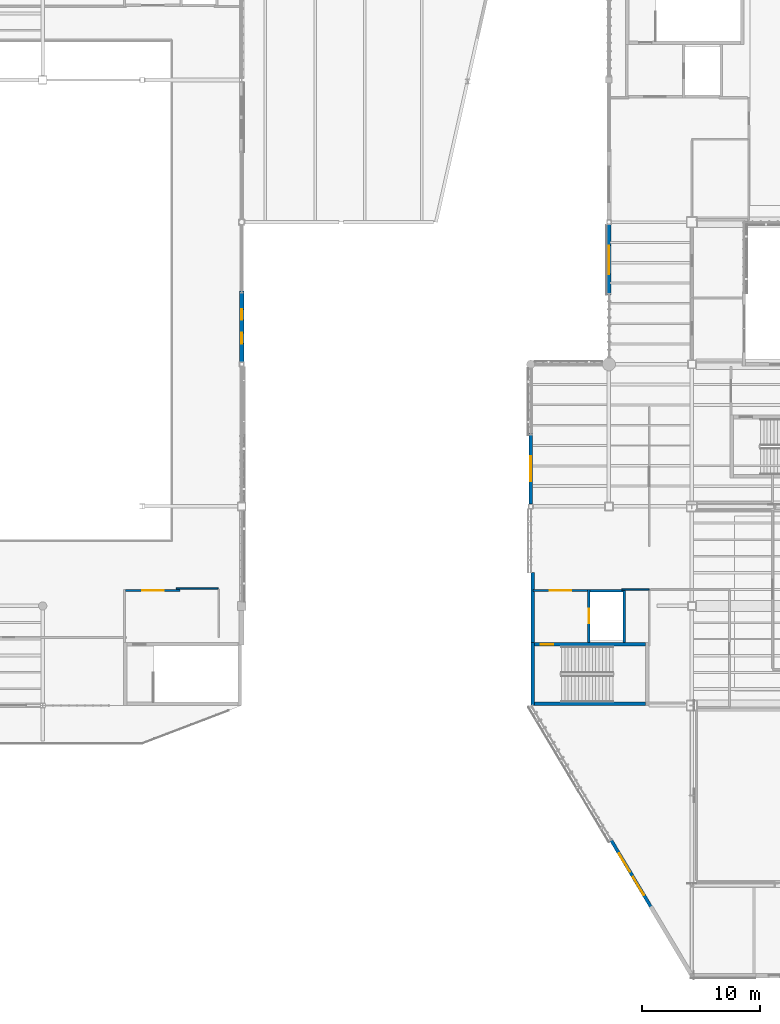
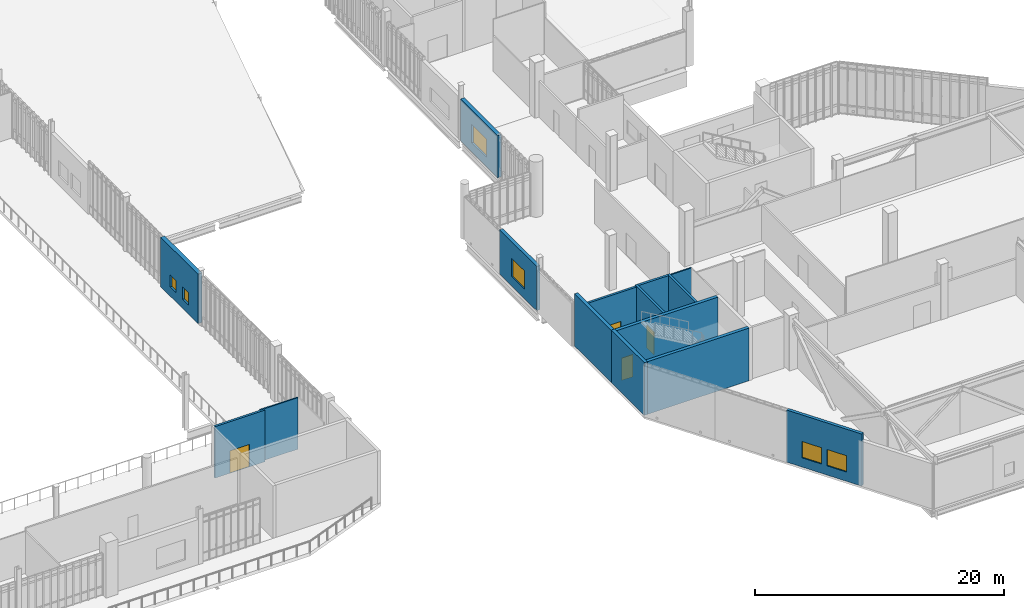
# One storey, part 114 of 135: 15 walls, 6 windows, 4 doors, 10 openings.
"""IFC4 building model written with IfcOpenShell, lengths in metres."""

from ifc_helpers import new_model, si_unit, direction, frame, frame_2d, origin, place, context, subcontext, project, spatial, rectangle, extrude, material, layer, layer_set, type_object, element, fill, save


model = new_model("IFC4")

# Units and contexts
model_context = context("Model", 3, precision=1e-05, world=origin(), true_north=direction((0.0, 1.0)))
body_context = subcontext(model_context, "Body", "Model", "MODEL_VIEW")
ifc_project = project(units=[si_unit("LENGTHUNIT", "METRE"), si_unit("AREAUNIT", "SQUARE_METRE"), si_unit("VOLUMEUNIT", "CUBIC_METRE"), si_unit("PLANEANGLEUNIT", "RADIAN"), si_unit("MASSUNIT", "GRAM", prefix="KILO")], contexts=[model_context])

# Site, building, storey
site_placement = place(None, origin())
site = spatial("IfcSite", under=ifc_project, at=site_placement, CompositionType="ELEMENT")
building_placement = place(site_placement, origin())
building = spatial("IfcBuilding", under=site, at=building_placement, Name="Larkvane Passage Sports Hall", CompositionType="ELEMENT")
storey_placement = place(building_placement, frame((0.0, 0.0, 16.800048828125)))
storey = spatial("IfcBuildingStorey", under=building, at=storey_placement, Name="L03", CompositionType="ELEMENT", Elevation=16.800048828125)

# Wall
ifc_material_1 = material(Name="Concrete C50/60", Category="concrete")
ifc_layer_1 = layer(ifc_material_1, 0.340087890625)
ifc_layer_set_1 = layer_set([ifc_layer_1], Name="Concrete C50/60")
wall_type_1 = type_object("IfcWallType", Name="WL-CORE-340", PredefinedType="SHEAR", material=ifc_layer_set_1)
wall_1_placement = place(storey_placement, frame((118.14990234375, 22.800048828125, 0.0), z_axis=(0.0, 0.0, 1.0), x_axis=(0.0, 1.0, 0.0)))
element("IfcWall", 1, at=wall_1_placement, inside=storey, type_object=wall_type_1, Name="Core shear wall WAL-CORE-C5-L03-W", PredefinedType="SHEAR", context=body_context, shape_type="SweptSolid", body=[
    extrude(rectangle(XDim=5.300048828125, YDim=0.300048828125, at=frame_2d((2.64990234375, 0.0))), origin(), (0.0, 0.0, 1.0), 5.14990234375),
])

# Wall, opening, door
wall_2_placement = place(storey_placement, frame((118.300048828125, 27.949951171875, 0.0), z_axis=(0.0, 0.0, 1.0), x_axis=(1.0, 0.0, 0.0)))
wall_2 = element("IfcWall", 2, at=wall_2_placement, inside=storey, type_object=wall_type_1, Name="Core shear wall WAL-CORE-C5-L03-N", PredefinedType="SHEAR", context=body_context, shape_type="SweptSolid", body=[
    extrude(rectangle(XDim=9.39990234375, YDim=0.300048828125, at=frame_2d((4.699951171875, 0.0))), origin(), (0.0, 0.0, 1.0), 5.14990234375),
])
opening_1_placement = place(wall_2_placement, frame((0.550048828125, 0.0, 0.0)))
opening_1 = element("IfcOpeningElement", 3, at=opening_1_placement, cuts=wall_2, Name="Opening DF-01", PredefinedType="OPENING", context=body_context, shape_type="SweptSolid", body=[
    extrude(rectangle(XDim=1.050048828125, YDim=2.199951171875, at=frame_2d((0.52490234375, 1.10009765625))), frame((0.0, 0.159912109375, 0.0), z_axis=(0.0, -1.0, 0.0), x_axis=(1.0, 0.0, 0.0)), (0.0, 0.0, 1.0), 0.320068359375),
])
ifc_material_2 = material(Name="Steel S355JR smoke-sealed fire door", Category="steel")
door_type_1 = type_object("IfcDoorType", Name="DR-FIRE-1050", OperationType="NOTDEFINED", PredefinedType="DOOR", material=ifc_material_2)
door_1_placement = place(opening_1_placement, origin())
door_1 = element("IfcDoor", 4, at=door_1_placement, inside=storey, type_object=door_type_1, Name="Stair ST-05 L03 fire door", OperationType="SINGLE_SWING_LEFT", OverallHeight=2.199951171875, OverallWidth=1.050048828125, PredefinedType="DOOR", context=body_context, shape_type="SweptSolid", body=[
    extrude(rectangle(XDim=1.050048828125, YDim=2.199951171875, at=frame_2d((0.52490234375, 1.10009765625))), frame((0.0, 0.02490234375, 0.0), z_axis=(0.0, -1.0, 0.0), x_axis=(1.0, 0.0, 0.0)), (0.0, 0.0, 1.0), 0.050048828125),
])
fill(opening_1, door_1)

# Wall
ifc_layer_2 = layer(ifc_material_1, 0.340087890625)
ifc_layer_set_2 = layer_set([ifc_layer_2], Name="Concrete C50/60")
wall_type_2 = type_object("IfcWallType", Name="WL-CORE-EXT-340", PredefinedType="SHEAR", material=ifc_layer_set_2)
wall_3_placement = place(storey_placement, frame((127.699951171875, 22.949951171875, 0.0), z_axis=(0.0, 0.0, 1.0), x_axis=(-1.0, 0.0, 0.0)))
element("IfcWall", 5, at=wall_3_placement, inside=storey, type_object=wall_type_2, Name="Core shear wall WAL-CORE-C5-L03-S", PredefinedType="SHEAR", context=body_context, shape_type="SweptSolid", body=[
    extrude(rectangle(XDim=9.39990234375, YDim=0.300048828125, at=frame_2d((4.699951171875, 0.0))), origin(), (0.0, 0.0, 1.0), 5.14990234375),
])

# Wall, openings, windows
ifc_material_3 = material(Name="Concrete C40/50", Category="concrete")
ifc_layer_3 = layer(ifc_material_3, 0.27490234375)
ifc_layer_set_3 = layer_set([ifc_layer_3], Name="Concrete C40/50")
wall_type_3 = type_object("IfcWallType", Name="WL-EXT-275", PredefinedType="SOLIDWALL", material=ifc_layer_set_3)
wall_4_placement = place(storey_placement, frame((128.267578125, 5.586669921875, 0.0), z_axis=(0.0, 0.0, 1.0), x_axis=(-0.512267314441, 0.858826058382, 0.0)))
wall_4 = element("IfcWall", 6, at=wall_4_placement, inside=storey, type_object=wall_type_3, Name="Exterior wall WAL-EXT-L03-178", PredefinedType="SOLIDWALL", context=body_context, shape_type="SweptSolid", body=[
    extrude(rectangle(XDim=6.90087890625, YDim=0.27490234375, at=frame_2d((3.450439453125, 0.0))), origin(), (0.0, 0.0, 1.0), 5.099853515625),
])
opening_2_placement = place(wall_4_placement, frame((1.39990234375, 0.0, 0.89990234375)))
opening_2 = element("IfcOpeningElement", 7, at=opening_2_placement, cuts=wall_4, Name="Opening W-02", PredefinedType="OPENING", context=body_context, shape_type="SweptSolid", body=[
    extrude(rectangle(XDim=1.800048828125, YDim=1.60009765625, at=frame_2d((0.89990234375, 0.800048828125))), frame((0.0, 0.1474609375, 0.0), z_axis=(0.0, -1.0, 0.0), x_axis=(1.0, 0.0, 0.0)), (0.0, 0.0, 1.0), 0.294921875),
])
opening_3_placement = place(wall_4_placement, frame((3.700927734375, 0.0, 0.89990234375)))
opening_3 = element("IfcOpeningElement", 8, at=opening_3_placement, cuts=wall_4, Name="Opening W-02", PredefinedType="OPENING", context=body_context, shape_type="SweptSolid", body=[
    extrude(rectangle(XDim=1.800048828125, YDim=1.60009765625, at=frame_2d((0.89990234375, 0.800048828125))), frame((0.0, 0.1474609375, 0.0), z_axis=(0.0, -1.0, 0.0), x_axis=(1.0, 0.0, 0.0)), (0.0, 0.0, 1.0), 0.294921875),
])
ifc_material_4 = material(Name="Thermally broken aluminium and laminated low-E glass", Category="aluminium")
window_type_1 = type_object("IfcWindowType", Name="WN-FIX-1800x1600", PartitioningType="SINGLE_PANEL", PredefinedType="WINDOW", material=ifc_material_4)
window_1_placement = place(opening_2_placement, origin())
window_1 = element("IfcWindow", 9, at=window_1_placement, inside=storey, type_object=window_type_1, Name="Window L03-073", OverallHeight=1.60009765625, OverallWidth=1.800048828125, PartitioningType="SINGLE_PANEL", PredefinedType="WINDOW", context=body_context, shape_type="SweptSolid", body=[
    extrude(rectangle(XDim=1.800048828125, YDim=1.60009765625, at=frame_2d((0.89990234375, 0.800048828125))), frame((0.0, 0.030029296875, 0.0), z_axis=(0.0, -1.0, 0.0), x_axis=(1.0, 0.0, 0.0)), (0.0, 0.0, 1.0), 0.06005859375),
])
fill(opening_2, window_1)
window_2_placement = place(opening_3_placement, origin())
window_2 = element("IfcWindow", 10, at=window_2_placement, inside=storey, type_object=window_type_1, Name="Window L03-074", OverallHeight=1.60009765625, OverallWidth=1.800048828125, PartitioningType="SINGLE_PANEL", PredefinedType="WINDOW", context=body_context, shape_type="SweptSolid", body=[
    extrude(rectangle(XDim=1.800048828125, YDim=1.60009765625, at=frame_2d((0.89990234375, 0.800048828125))), frame((0.0, 0.030029296875, 0.0), z_axis=(0.0, -1.0, 0.0), x_axis=(1.0, 0.0, 0.0)), (0.0, 0.0, 1.0), 0.06005859375),
])
fill(opening_3, window_2)

# Wall, opening, window
ifc_material_5 = material(Name="Precast concrete C45/55", Category="concrete")
ifc_layer_4 = layer(ifc_material_5, 0.31005859375)
ifc_layer_set_4 = layer_set([ifc_layer_4], Name="Precast concrete C45/55")
wall_type_4 = type_object("IfcWallType", Name="WL-EXT-310", PredefinedType="SOLIDWALL", material=ifc_layer_set_4)
wall_5_placement = place(storey_placement, frame((118.0, 39.7958984375, 0.0), z_axis=(0.0, 0.0, 1.0), x_axis=(0.0, 1.0, 0.0)))
wall_5 = element("IfcWall", 11, at=wall_5_placement, inside=storey, type_object=wall_type_4, Name="Exterior wall WAL-EXT-L03-179", PredefinedType="SOLIDWALL", context=body_context, shape_type="SweptSolid", body=[
    extrude(rectangle(XDim=5.952880859375, YDim=0.31005859375, at=frame_2d((2.9765625, 0.0))), origin(), (0.0, 0.0, 1.0), 4.31591796875),
])
opening_4_placement = place(wall_5_placement, frame((1.926025390625, 0.0, 0.89990234375)))
opening_4 = element("IfcOpeningElement", 12, at=opening_4_placement, cuts=wall_5, Name="Opening W-03", PredefinedType="OPENING", context=body_context, shape_type="SweptSolid", body=[
    extrude(rectangle(XDim=2.10009765625, YDim=1.800048828125, at=frame_2d((1.050048828125, 0.89990234375))), frame((0.0, 0.1650390625, 0.0), z_axis=(0.0, -1.0, 0.0), x_axis=(1.0, 0.0, 0.0)), (0.0, 0.0, 1.0), 0.330078125),
])
window_type_2 = type_object("IfcWindowType", Name="WN-FIX-2100x1800", PartitioningType="DOUBLE_PANEL_VERTICAL", PredefinedType="WINDOW", material=ifc_material_4)
window_3_placement = place(opening_4_placement, origin())
window_3 = element("IfcWindow", 13, at=window_3_placement, inside=storey, type_object=window_type_2, Name="Window L03-075", OverallHeight=1.800048828125, OverallWidth=2.10009765625, PartitioningType="DOUBLE_PANEL_VERTICAL", PredefinedType="WINDOW", context=body_context, shape_type="SweptSolid", body=[
    extrude(rectangle(XDim=2.10009765625, YDim=1.800048828125, at=frame_2d((1.050048828125, 0.89990234375))), frame((0.0, 0.030029296875, 0.0), z_axis=(0.0, -1.0, 0.0), x_axis=(1.0, 0.0, 0.0)), (0.0, 0.0, 1.0), 0.06005859375),
])
fill(opening_4, window_3)

# Wall
wall_6_placement = place(storey_placement, frame((118.155029296875, 28.10009765625, 0.0), z_axis=(0.0, 0.0, 1.0), x_axis=(0.0, 1.0, 0.0)))
element("IfcWall", 14, at=wall_6_placement, inside=storey, type_object=wall_type_4, Name="Exterior wall WAL-EXT-C5-LOB-L03", PredefinedType="SOLIDWALL", context=body_context, shape_type="SweptSolid", body=[
    extrude(rectangle(XDim=5.919921875, YDim=0.31005859375, at=frame_2d((2.9599609375, 0.0))), origin(), (0.0, 0.0, 1.0), 5.099853515625),
])

# Wall, opening, window
ifc_layer_5 = layer(ifc_material_5, 0.344970703125)
ifc_layer_set_5 = layer_set([ifc_layer_5], Name="Precast concrete C45/55")
wall_type_5 = type_object("IfcWallType", Name="WL-EXT-345", PredefinedType="SOLIDWALL", material=ifc_layer_set_5)
wall_7_placement = place(storey_placement, frame((124.60009765625, 57.434326171875, 0.0), z_axis=(0.0, 0.0, 1.0), x_axis=(0.0, 1.0, 0.0)))
wall_7 = element("IfcWall", 15, at=wall_7_placement, inside=storey, type_object=wall_type_5, Name="Exterior wall WAL-EXT-L03-180", PredefinedType="SOLIDWALL", context=body_context, shape_type="SweptSolid", body=[
    extrude(rectangle(XDim=5.966552734375, YDim=0.344970703125, at=frame_2d((2.9833984375, 0.0))), origin(), (0.0, 0.0, 1.0), 4.10791015625),
])
opening_5_placement = place(wall_7_placement, frame((1.782958984375, 0.0, 0.89990234375)))
opening_5 = element("IfcOpeningElement", 16, at=opening_5_placement, cuts=wall_7, Name="Opening W-04", PredefinedType="OPENING", context=body_context, shape_type="SweptSolid", body=[
    extrude(rectangle(XDim=2.39990234375, YDim=1.800048828125, at=frame_2d((1.199951171875, 0.89990234375))), frame((0.0, 0.182373046875, 0.0), z_axis=(0.0, -1.0, 0.0), x_axis=(1.0, 0.0, 0.0)), (0.0, 0.0, 1.0), 0.364990234375),
])
window_type_3 = type_object("IfcWindowType", Name="WN-FIX-2400x1800", PartitioningType="DOUBLE_PANEL_VERTICAL", PredefinedType="WINDOW", material=ifc_material_4)
window_4_placement = place(opening_5_placement, origin())
window_4 = element("IfcWindow", 17, at=window_4_placement, inside=storey, type_object=window_type_3, Name="Window L03-076", OverallHeight=1.800048828125, OverallWidth=2.39990234375, PartitioningType="DOUBLE_PANEL_VERTICAL", PredefinedType="WINDOW", context=body_context, shape_type="SweptSolid", body=[
    extrude(rectangle(XDim=2.39990234375, YDim=1.800048828125, at=frame_2d((1.199951171875, 0.89990234375))), frame((0.0, 0.030029296875, 0.0), z_axis=(0.0, -1.0, 0.0), x_axis=(1.0, 0.0, 0.0)), (0.0, 0.0, 1.0), 0.06005859375),
])
fill(opening_5, window_4)

# Wall, openings, windows
ifc_layer_6 = layer(ifc_material_3, 0.385009765625)
ifc_layer_set_6 = layer_set([ifc_layer_6], Name="Concrete C40/50")
wall_type_6 = type_object("IfcWallType", Name="WL-EXT-385", PredefinedType="SOLIDWALL", material=ifc_layer_set_6)
wall_8_placement = place(storey_placement, frame((93.60009765625, 57.784912109375, 0.0), z_axis=(0.0, 0.0, 1.0), x_axis=(0.0, -1.0, 0.0)))
wall_8 = element("IfcWall", 18, at=wall_8_placement, inside=storey, type_object=wall_type_6, Name="Exterior wall WAL-EXT-L03-205", PredefinedType="SOLIDWALL", context=body_context, shape_type="SweptSolid", body=[
    extrude(rectangle(XDim=5.985595703125, YDim=0.385009765625, at=frame_2d((2.99267578125, 0.0))), origin(), (0.0, 0.0, 1.0), 4.843017578125),
])
opening_6_placement = place(wall_8_placement, frame((1.544921875, 0.0, 0.89990234375)))
opening_6 = element("IfcOpeningElement", 19, at=opening_6_placement, cuts=wall_8, Name="Opening W-09", PredefinedType="OPENING", context=body_context, shape_type="SweptSolid", body=[
    extrude(rectangle(XDim=0.89990234375, YDim=1.199951171875, at=frame_2d((0.449951171875, 0.60009765625))), frame((0.0, 0.202392578125, 0.0), z_axis=(0.0, -1.0, 0.0), x_axis=(1.0, 0.0, 0.0)), (0.0, 0.0, 1.0), 0.405029296875),
])
opening_7_placement = place(wall_8_placement, frame((3.5400390625, 0.0, 0.89990234375)))
opening_7 = element("IfcOpeningElement", 20, at=opening_7_placement, cuts=wall_8, Name="Opening W-09", PredefinedType="OPENING", context=body_context, shape_type="SweptSolid", body=[
    extrude(rectangle(XDim=0.89990234375, YDim=1.199951171875, at=frame_2d((0.449951171875, 0.60009765625))), frame((0.0, 0.202392578125, 0.0), z_axis=(0.0, -1.0, 0.0), x_axis=(1.0, 0.0, 0.0)), (0.0, 0.0, 1.0), 0.405029296875),
])
window_type_4 = type_object("IfcWindowType", Name="WN-CAS-900x1200", PartitioningType="SINGLE_PANEL", PredefinedType="WINDOW", material=ifc_material_4)
window_5_placement = place(opening_6_placement, origin())
window_5 = element("IfcWindow", 21, at=window_5_placement, inside=storey, type_object=window_type_4, Name="Window L03-093", OverallHeight=1.199951171875, OverallWidth=0.89990234375, PartitioningType="SINGLE_PANEL", PredefinedType="WINDOW", context=body_context, shape_type="SweptSolid", body=[
    extrude(rectangle(XDim=0.89990234375, YDim=1.199951171875, at=frame_2d((0.449951171875, 0.60009765625))), frame((0.0, 0.030029296875, 0.0), z_axis=(0.0, -1.0, 0.0), x_axis=(1.0, 0.0, 0.0)), (0.0, 0.0, 1.0), 0.06005859375),
])
fill(opening_6, window_5)
window_6_placement = place(opening_7_placement, origin())
window_6 = element("IfcWindow", 22, at=window_6_placement, inside=storey, type_object=window_type_4, Name="Window L03-094", OverallHeight=1.199951171875, OverallWidth=0.89990234375, PartitioningType="SINGLE_PANEL", PredefinedType="WINDOW", context=body_context, shape_type="SweptSolid", body=[
    extrude(rectangle(XDim=0.89990234375, YDim=1.199951171875, at=frame_2d((0.449951171875, 0.60009765625))), frame((0.0, 0.030029296875, 0.0), z_axis=(0.0, -1.0, 0.0), x_axis=(1.0, 0.0, 0.0)), (0.0, 0.0, 1.0), 0.06005859375),
])
fill(opening_7, window_6)

# Wall, opening, door
ifc_layer_7 = layer(ifc_material_3, 0.199951171875)
ifc_layer_set_7 = layer_set([ifc_layer_7], Name="Concrete C40/50")
wall_type_7 = type_object("IfcWallType", Name="WL-LOBBY-200", PredefinedType="SOLIDWALL", material=ifc_layer_set_7)
wall_9_placement = place(storey_placement, frame((83.800048828125, 32.5, 0.0), z_axis=(0.0, 0.0, 1.0), x_axis=(1.0, 0.0, 0.0)))
wall_9 = element("IfcWall", 23, at=wall_9_placement, inside=storey, type_object=wall_type_7, Name="Protected stair lobby wall C4 L03", PredefinedType="SOLIDWALL", context=body_context, shape_type="SweptSolid", body=[
    extrude(rectangle(XDim=4.599853515625, YDim=0.199951171875, at=frame_2d((2.2998046875, 0.0))), origin(), (0.0, 0.0, 1.0), 5.050048828125),
])
opening_8_placement = place(wall_9_placement, frame((1.39990234375, 0.0, 0.0)))
opening_8 = element("IfcOpeningElement", 24, at=opening_8_placement, cuts=wall_9, Name="Opening DF-02", PredefinedType="OPENING", context=body_context, shape_type="SweptSolid", body=[
    extrude(rectangle(XDim=1.800048828125, YDim=2.199951171875, at=frame_2d((0.89990234375, 1.10009765625))), frame((0.0, 0.10986328125, 0.0), z_axis=(0.0, -1.0, 0.0), x_axis=(1.0, 0.0, 0.0)), (0.0, 0.0, 1.0), 0.219970703125),
])
ifc_material_6 = material(Name="Steel S355JR double smoke-sealed fire door", Category="steel")
door_type_2 = type_object("IfcDoorType", Name="DR-FIRE-1800", OperationType="DOUBLE_DOOR_SINGLE_SWING", PredefinedType="DOOR", material=ifc_material_6)
door_2_placement = place(opening_8_placement, origin())
door_2 = element("IfcDoor", 25, at=door_2_placement, inside=storey, type_object=door_type_2, Name="Lobby smoke door C4 L03", OperationType="DOUBLE_DOOR_SINGLE_SWING", OverallHeight=2.199951171875, OverallWidth=1.800048828125, PredefinedType="DOOR", context=body_context, shape_type="SweptSolid", body=[
    extrude(rectangle(XDim=1.800048828125, YDim=2.199951171875, at=frame_2d((0.89990234375, 1.10009765625))), frame((0.0, 0.02490234375, 0.0), z_axis=(0.0, -1.0, 0.0), x_axis=(1.0, 0.0, 0.0)), (0.0, 0.0, 1.0), 0.050048828125),
])
fill(opening_8, door_2)

wall_10_placement = place(storey_placement, frame((118.199951171875, 32.5, 0.0), z_axis=(0.0, 0.0, 1.0), x_axis=(1.0, 0.0, 0.0)))
wall_10 = element("IfcWall", 26, at=wall_10_placement, inside=storey, type_object=wall_type_7, Name="Protected stair lobby wall C5 L03", PredefinedType="SOLIDWALL", context=body_context, shape_type="SweptSolid", body=[
    extrude(rectangle(XDim=4.60009765625, YDim=0.199951171875, at=frame_2d((2.300048828125, 0.0))), origin(), (0.0, 0.0, 1.0), 5.050048828125),
])
opening_9_placement = place(wall_10_placement, frame((1.39990234375, 0.0, 0.0)))
opening_9 = element("IfcOpeningElement", 27, at=opening_9_placement, cuts=wall_10, Name="Opening DF-02", PredefinedType="OPENING", context=body_context, shape_type="SweptSolid", body=[
    extrude(rectangle(XDim=1.800048828125, YDim=2.199951171875, at=frame_2d((0.89990234375, 1.10009765625))), frame((0.0, 0.10986328125, 0.0), z_axis=(0.0, -1.0, 0.0), x_axis=(1.0, 0.0, 0.0)), (0.0, 0.0, 1.0), 0.219970703125),
])
door_3_placement = place(opening_9_placement, origin())
door_3 = element("IfcDoor", 28, at=door_3_placement, inside=storey, type_object=door_type_2, Name="Lobby smoke door C5 L03", OperationType="DOUBLE_DOOR_SINGLE_SWING", OverallHeight=2.199951171875, OverallWidth=1.800048828125, PredefinedType="DOOR", context=body_context, shape_type="SweptSolid", body=[
    extrude(rectangle(XDim=1.800048828125, YDim=2.199951171875, at=frame_2d((0.89990234375, 1.10009765625))), frame((0.0, 0.02490234375, 0.0), z_axis=(0.0, -1.0, 0.0), x_axis=(1.0, 0.0, 0.0)), (0.0, 0.0, 1.0), 0.050048828125),
])
fill(opening_9, door_3)

# Walls
ifc_material_7 = material(Name="Gypsum twin-stud fire-rated partition")
ifc_layer_8 = layer(ifc_material_7, 0.125)
ifc_layer_set_8 = layer_set([ifc_layer_8], Name="Gypsum twin-stud fire-rated partition")
wall_type_8 = type_object("IfcWallType", Name="WL-PART-125", PredefinedType="PARTITIONING", material=ifc_layer_set_8)
wall_11_placement = place(storey_placement, frame((91.60009765625, 32.659912109375, 0.0), z_axis=(0.0, 0.0, 1.0), x_axis=(-1.0, 0.0, 0.0)))
element("IfcWall", 29, at=wall_11_placement, inside=storey, type_object=wall_type_8, Name="Interior partition WAL-PART-L03-0354", PredefinedType="PARTITIONING", context=body_context, shape_type="SweptSolid", body=[
    extrude(rectangle(XDim=3.52001953125, YDim=0.125, at=frame_2d((1.760009765625, 0.0))), origin(), (0.0, 0.0, 1.0), 5.050048828125),
])
wall_12_placement = place(storey_placement, frame((128.0, 32.60009765625, 0.0), z_axis=(0.0, 0.0, 1.0), x_axis=(-1.0, 0.0, 0.0)))
element("IfcWall", 30, at=wall_12_placement, inside=storey, type_object=wall_type_8, Name="Interior partition WAL-PART-L03-0370", PredefinedType="PARTITIONING", context=body_context, shape_type="SweptSolid", body=[
    extrude(rectangle(XDim=2.300048828125, YDim=0.125, at=frame_2d((1.14990234375, 0.0))), origin(), (0.0, 0.0, 1.0), 5.030029296875),
])

# Wall, opening, door
ifc_layer_9 = layer(ifc_material_3, 0.219970703125)
ifc_layer_set_9 = layer_set([ifc_layer_9], Name="Concrete C40/50")
wall_type_9 = type_object("IfcWallType", Name="WL-SHAFT-220", PredefinedType="SOLIDWALL", material=ifc_layer_set_9)
wall_13_placement = place(storey_placement, frame((122.909912109375, 28.10009765625, 0.0), z_axis=(0.0, 0.0, 1.0), x_axis=(0.0, 1.0, 0.0)))
wall_13 = element("IfcWall", 31, at=wall_13_placement, inside=storey, type_object=wall_type_9, Name="Lift shaft front wall FL-02 L03", PredefinedType="SOLIDWALL", context=body_context, shape_type="SweptSolid", body=[
    extrude(rectangle(XDim=4.5, YDim=0.219970703125, at=frame_2d((2.25, 0.0))), origin(), (0.0, 0.0, 1.0), 5.14990234375),
])
opening_10_placement = place(wall_13_placement, frame((1.64990234375, 0.0, 0.0)))
opening_10 = element("IfcOpeningElement", 32, at=opening_10_placement, cuts=wall_13, Name="Opening LD-01", PredefinedType="OPENING", context=body_context, shape_type="SweptSolid", body=[
    extrude(rectangle(XDim=1.199951171875, YDim=2.199951171875, at=frame_2d((0.60009765625, 1.10009765625))), frame((0.0, 0.119873046875, 0.0), z_axis=(0.0, -1.0, 0.0), x_axis=(1.0, 0.0, 0.0)), (0.0, 0.0, 1.0), 0.239990234375),
])
ifc_material_8 = material(Name="Stainless steel S355JR lift landing door", Category="steel")
door_type_3 = type_object("IfcDoorType", Name="DR-LIFT-1200", OperationType="SLIDING_TO_LEFT", PredefinedType="DOOR", material=ifc_material_8)
door_4_placement = place(opening_10_placement, origin())
door_4 = element("IfcDoor", 33, at=door_4_placement, inside=storey, type_object=door_type_3, Name="Lift landing door FL-02 L03", OperationType="SLIDING_TO_LEFT", OverallHeight=2.199951171875, OverallWidth=1.199951171875, PredefinedType="DOOR", context=body_context, shape_type="SweptSolid", body=[
    extrude(rectangle(XDim=1.199951171875, YDim=2.199951171875, at=frame_2d((0.60009765625, 1.10009765625))), frame((0.0, 0.02490234375, 0.0), z_axis=(0.0, -1.0, 0.0), x_axis=(1.0, 0.0, 0.0)), (0.0, 0.0, 1.0), 0.050048828125),
])
fill(opening_10, door_4)

# Walls
wall_14_placement = place(storey_placement, frame((125.889892578125, 28.10009765625, 0.0), z_axis=(0.0, 0.0, 1.0), x_axis=(0.0, 1.0, 0.0)))
element("IfcWall", 34, at=wall_14_placement, inside=storey, type_object=wall_type_9, Name="Lift shaft rear wall FL-02 L03", PredefinedType="SOLIDWALL", context=body_context, shape_type="SweptSolid", body=[
    extrude(rectangle(XDim=4.5, YDim=0.219970703125, at=frame_2d((2.25, 0.0))), origin(), (0.0, 0.0, 1.0), 5.14990234375),
])
wall_15_placement = place(storey_placement, frame((123.02001953125, 32.489990234375, 0.0), z_axis=(0.0, 0.0, 1.0), x_axis=(1.0, 0.0, 0.0)))
element("IfcWall", 35, at=wall_15_placement, inside=storey, type_object=wall_type_9, Name="Lift shaft end wall FL-02 L03", PredefinedType="SOLIDWALL", context=body_context, shape_type="SweptSolid", body=[
    extrude(rectangle(XDim=2.760009765625, YDim=0.219970703125, at=frame_2d((1.3798828125, 0.0))), origin(), (0.0, 0.0, 1.0), 5.14990234375),
])

save(model, "model.ifc")
